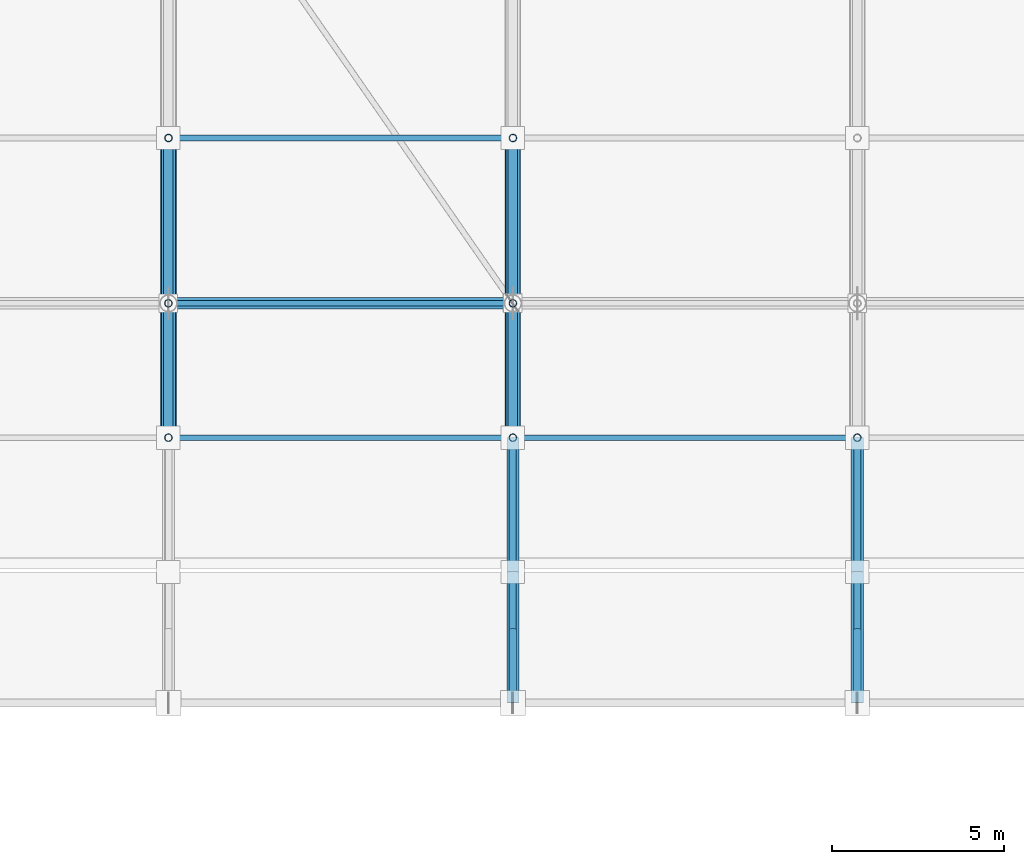
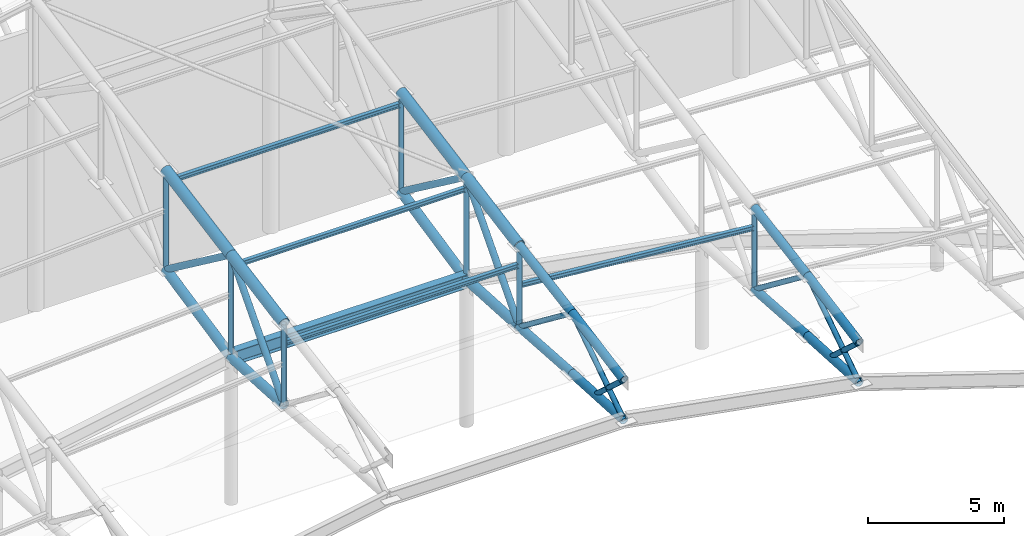
# One storey, part 57 of 146: 37 members, 1 beam.
"""IFC4 building model written with IfcOpenShell, lengths in metres."""

from ifc_helpers import new_model, si_unit, direction, frame, origin, origin_2d, place, context, subcontext, project, spatial, hollow_circle, i_section, extrude, material, material_profile, profile_set, type_object, element, save


model = new_model("IFC4")

# Units and contexts
model_context = context("Model", 3, precision=1e-05, world=origin(), true_north=direction((0.0, 1.0)))
body_context = subcontext(model_context, "Body", "Model", "MODEL_VIEW")
ifc_project = project(units=[si_unit("LENGTHUNIT", "METRE"), si_unit("AREAUNIT", "SQUARE_METRE"), si_unit("VOLUMEUNIT", "CUBIC_METRE"), si_unit("PLANEANGLEUNIT", "RADIAN"), si_unit("MASSUNIT", "GRAM", prefix="KILO")], contexts=[model_context])

# Site, building, storey
site_placement = place(None, origin())
site = spatial("IfcSite", under=ifc_project, at=site_placement, CompositionType="ELEMENT")
building_placement = place(site_placement, origin())
building = spatial("IfcBuilding", under=site, at=building_placement, Name="Candeia Ridge Stadium", CompositionType="ELEMENT")
storey_placement = place(building_placement, frame((0.0, 0.0, 31.800048828125)))
storey = spatial("IfcBuildingStorey", under=building, at=storey_placement, Name="RF", CompositionType="ELEMENT", Elevation=31.800048828125)

# Beam
ifc_material = material(Name="Steel ASTM A572 Grade 50", Category="steel")
ifc_material_profile_1 = material_profile(ifc_material, i_section(OverallWidth=0.324951171875, OverallDepth=0.615966796875, WebThickness=0.013916015625, FlangeThickness=0.021484375, FilletRadius=0.014892578125, at=origin_2d()), Name="W610x174", Category="steel")
ifc_profile_set_1 = profile_set([ifc_material_profile_1], Name="Steel ASTM A572 Grade 50")
beam_type = type_object("IfcBeamType", Name="Roof Compression Ring Beam W610x174", PredefinedType="BEAM", material=ifc_profile_set_1)
beam_placement = place(storey_placement, frame((110.9599609375, 132.60009765625, 6.500244140625), z_axis=(-1.0, 0.0, 0.0), x_axis=(0.0, -1.0, 0.0)))
element("IfcBeam", 1, at=beam_placement, inside=storey, type_object=beam_type, Name="Roof compression ring beam bay 04", PredefinedType="BEAM", context=body_context, shape_type="SweptSolid", body=[
    extrude(i_section(OverallWidth=0.324951171875, OverallDepth=0.615966796875, WebThickness=0.013916015625, FlangeThickness=0.021484375, FilletRadius=0.014892578125, at=origin_2d()), origin(), (0.0, 0.0, 1.0), 9.919921875),
])

# Members
ifc_material_profile_2 = material_profile(ifc_material, i_section(OverallWidth=0.1650390625, OverallDepth=0.200927734375, WebThickness=0.006103515625, FlangeThickness=0.01025390625, FilletRadius=0.010009765625, at=origin_2d()), Name="W200x35.9", Category="steel")
ifc_profile_set_2 = profile_set([ifc_material_profile_2], Name="Steel ASTM A572 Grade 50")
member_type_1 = type_object("IfcMemberType", Name="Roof Purlin W200x35.9", PredefinedType="PURLIN", material=ifc_profile_set_2)
member_1_placement = place(storey_placement, frame((120.9501953125, 128.699951171875, 7.708251953125), z_axis=(-0.995975929729, 0.0, 0.08962113256), x_axis=(0.0, -1.0, 0.0)))
element("IfcMember", 2, at=member_1_placement, inside=storey, type_object=member_type_1, Name="Saddle roof steel purlin bay 03-1", PredefinedType="PURLIN", context=body_context, shape_type="SweptSolid", body=[
    extrude(i_section(OverallWidth=0.1650390625, OverallDepth=0.200927734375, WebThickness=0.006103515625, FlangeThickness=0.01025390625, FilletRadius=0.010009765625, at=origin_2d()), origin(), (0.0, 0.0, 1.0), 9.9404296875),
])
for number, where, z_axis, x_axis, name in (
    (3, (110.949951171875, 128.699951171875, 9.518798828125), (-1.0, 0.0, 0.0), (0.0, -1.0, 0.0), "Saddle roof steel purlin bay 04-1"),
    (4, (110.949951171875, 132.60009765625, 10.580322265625), (-1.0, 0.0, 0.0), (0.0, -1.0, 0.0), "Saddle roof steel purlin bay 04-2"),
    (5, (110.949951171875, 137.39990234375, 11.46826171875), (-1.0, 0.0, 0.0), (0.0, -1.0, 0.0), "Saddle roof steel purlin bay 04-3"),
):
    element("IfcMember", number, at=place(storey_placement, frame(where, z_axis=z_axis, x_axis=x_axis)), inside=storey, type_object=member_type_1, Name=name, PredefinedType="PURLIN", context=body_context, shape_type="SweptSolid", body=[
        extrude(i_section(OverallWidth=0.1650390625, OverallDepth=0.200927734375, WebThickness=0.006103515625, FlangeThickness=0.01025390625, FilletRadius=0.010009765625, at=origin_2d()), origin(), (0.0, 0.0, 1.0), 9.89990234375),
    ])
ifc_material_profile_3 = material_profile(ifc_material, hollow_circle(Radius=0.136474609375, WallThickness=0.010009765625, at=origin_2d()), Name="CHS273x10", Category="steel")
ifc_profile_set_3 = profile_set([ifc_material_profile_3], Name="Steel ASTM A572 Grade 50")
member_type_2 = type_object("IfcMemberType", Name="Roof Truss Heavy Web Brace CHS273x10", PredefinedType="BRACE", material=ifc_profile_set_3)
member_2_placement = place(storey_placement, frame((111.0, 128.699951171875, 6.72021484375), z_axis=(0.0, 0.665001791652, 0.746841761754), x_axis=(-1.0, 0.0, 0.0)))
element("IfcMember", 6, at=member_2_placement, inside=storey, type_object=member_type_2, Name="Roof cantilever truss RT-04 diagonal web 3", PredefinedType="BRACE", context=body_context, shape_type="SweptSolid", body=[
    extrude(hollow_circle(Radius=0.136474609375, WallThickness=0.010009765625, at=origin_2d()), origin(), (0.0, 0.0, 1.0), 5.86474609375),
])
member_3_placement = place(storey_placement, frame((111.0, 132.60009765625, 11.100341796875), z_axis=(0.0, 0.801680135344, -0.597753260631), x_axis=(-1.0, 0.0, 0.0)))
element("IfcMember", 7, at=member_3_placement, inside=storey, type_object=member_type_2, Name="Roof cantilever truss RT-04 diagonal web 4", PredefinedType="BRACE", context=body_context, shape_type="SweptSolid", body=[
    extrude(hollow_circle(Radius=0.136474609375, WallThickness=0.010009765625, at=origin_2d()), origin(), (0.0, 0.0, 1.0), 5.987060546875),
])
member_4_placement = place(storey_placement, frame((101.0, 128.699951171875, 6.72021484375), z_axis=(0.0, 0.665001791652, 0.746841761754), x_axis=(-1.0, 0.0, 0.0)))
element("IfcMember", 8, at=member_4_placement, inside=storey, type_object=member_type_2, Name="Roof cantilever truss RT-05 diagonal web 3", PredefinedType="BRACE", context=body_context, shape_type="SweptSolid", body=[
    extrude(hollow_circle(Radius=0.136474609375, WallThickness=0.010009765625, at=origin_2d()), origin(), (0.0, 0.0, 1.0), 5.86474609375),
])
member_5_placement = place(storey_placement, frame((101.0, 132.60009765625, 11.100341796875), z_axis=(0.0, 0.801680135344, -0.597753260631), x_axis=(-1.0, 0.0, 0.0)))
element("IfcMember", 9, at=member_5_placement, inside=storey, type_object=member_type_2, Name="Roof cantilever truss RT-05 diagonal web 4", PredefinedType="BRACE", context=body_context, shape_type="SweptSolid", body=[
    extrude(hollow_circle(Radius=0.136474609375, WallThickness=0.010009765625, at=origin_2d()), origin(), (0.0, 0.0, 1.0), 5.987060546875),
])
ifc_material_profile_4 = material_profile(ifc_material, hollow_circle(Radius=0.109619140625, WallThickness=0.010009765625, at=origin_2d()), Name="CHS219x10", Category="steel")
ifc_profile_set_4 = profile_set([ifc_material_profile_4], Name="Steel ASTM A572 Grade 50")
member_type_3 = type_object("IfcMemberType", Name="Roof Truss Inner Web Brace CHS219x10", PredefinedType="BRACE", material=ifc_profile_set_4)
member_6_placement = place(storey_placement, frame((121.0, 121.0, 5.38916015625), z_axis=(0.0, 0.835124576935, 0.550060852087), x_axis=(-1.0, 0.0, 0.0)))
element("IfcMember", 10, at=member_6_placement, inside=storey, type_object=member_type_3, Name="Roof cantilever truss RT-03 diagonal web 1", PredefinedType="BRACE", context=body_context, shape_type="SweptSolid", body=[
    extrude(hollow_circle(Radius=0.109619140625, WallThickness=0.010009765625, at=origin_2d()), origin(), (0.0, 0.0, 1.0), 4.55029296875),
])
member_7_placement = place(storey_placement, frame((121.0, 124.800048828125, 7.89208984375), z_axis=(0.0, 0.793887844601, -0.608064215519), x_axis=(-1.0, 0.0, 0.0)))
element("IfcMember", 11, at=member_7_placement, inside=storey, type_object=member_type_3, Name="Roof cantilever truss RT-03 diagonal web 2", PredefinedType="BRACE", context=body_context, shape_type="SweptSolid", body=[
    extrude(hollow_circle(Radius=0.109619140625, WallThickness=0.010009765625, at=origin_2d()), origin(), (0.0, 0.0, 1.0), 4.912353515625),
])
member_8_placement = place(storey_placement, frame((121.0, 123.090087890625, 5.271240234375), z_axis=(0.0, -0.736793216186, 0.676118152827), x_axis=(1.0, 0.0, 0.0)))
element("IfcMember", 12, at=member_8_placement, inside=storey, type_object=member_type_3, Name="Roof cantilever truss RT-03 vertical post 0", PredefinedType="BRACE", context=body_context, shape_type="SweptSolid", body=[
    extrude(hollow_circle(Radius=0.109619140625, WallThickness=0.010009765625, at=origin_2d()), origin(), (0.0, 0.0, 1.0), 2.836669921875),
])
member_9_placement = place(storey_placement, frame((121.0, 128.699951171875, 4.905029296875), z_axis=(0.0, 0.0, 1.0), x_axis=(1.0, 0.0, 0.0)))
element("IfcMember", 13, at=member_9_placement, inside=storey, type_object=member_type_3, Name="Roof cantilever truss RT-03 vertical post 2", PredefinedType="BRACE", context=body_context, shape_type="SweptSolid", body=[
    extrude(hollow_circle(Radius=0.109619140625, WallThickness=0.010009765625, at=origin_2d()), origin(), (0.0, 0.0, 1.0), 3.65869140625),
])
member_10_placement = place(storey_placement, frame((111.0, 121.0, 7.204345703125), z_axis=(0.0, 0.835124576935, 0.550060852087), x_axis=(-1.0, 0.0, 0.0)))
element("IfcMember", 14, at=member_10_placement, inside=storey, type_object=member_type_3, Name="Roof cantilever truss RT-04 diagonal web 1", PredefinedType="BRACE", context=body_context, shape_type="SweptSolid", body=[
    extrude(hollow_circle(Radius=0.109619140625, WallThickness=0.010009765625, at=origin_2d()), origin(), (0.0, 0.0, 1.0), 4.55029296875),
])
member_11_placement = place(storey_placement, frame((111.0, 124.800048828125, 9.707275390625), z_axis=(0.0, 0.793887844601, -0.608064215519), x_axis=(-1.0, 0.0, 0.0)))
element("IfcMember", 15, at=member_11_placement, inside=storey, type_object=member_type_3, Name="Roof cantilever truss RT-04 diagonal web 2", PredefinedType="BRACE", context=body_context, shape_type="SweptSolid", body=[
    extrude(hollow_circle(Radius=0.109619140625, WallThickness=0.010009765625, at=origin_2d()), origin(), (0.0, 0.0, 1.0), 4.912353515625),
])
member_12_placement = place(storey_placement, frame((111.0, 123.090087890625, 7.08642578125), z_axis=(0.0, -0.736836090738, 0.676071427725), x_axis=(1.0, 0.0, 0.0)))
element("IfcMember", 16, at=member_12_placement, inside=storey, type_object=member_type_3, Name="Roof cantilever truss RT-04 vertical post 0", PredefinedType="BRACE", context=body_context, shape_type="SweptSolid", body=[
    extrude(hollow_circle(Radius=0.109619140625, WallThickness=0.010009765625, at=origin_2d()), origin(), (0.0, 0.0, 1.0), 2.836669921875),
])
member_13_placement = place(storey_placement, frame((111.0, 128.699951171875, 6.72021484375), z_axis=(0.0, 0.0, 1.0), x_axis=(1.0, 0.0, 0.0)))
element("IfcMember", 17, at=member_13_placement, inside=storey, type_object=member_type_3, Name="Roof cantilever truss RT-04 vertical post 2", PredefinedType="BRACE", context=body_context, shape_type="SweptSolid", body=[
    extrude(hollow_circle(Radius=0.109619140625, WallThickness=0.010009765625, at=origin_2d()), origin(), (0.0, 0.0, 1.0), 3.658447265625),
])
member_14_placement = place(storey_placement, frame((111.0, 132.60009765625, 6.500244140625), z_axis=(0.0, 0.0, 1.0), x_axis=(1.0, 0.0, 0.0)))
element("IfcMember", 18, at=member_14_placement, inside=storey, type_object=member_type_3, Name="Roof cantilever truss RT-04 vertical post 3", PredefinedType="BRACE", context=body_context, shape_type="SweptSolid", body=[
    extrude(hollow_circle(Radius=0.109619140625, WallThickness=0.010009765625, at=origin_2d()), origin(), (0.0, 0.0, 1.0), 4.60009765625),
])
member_15_placement = place(storey_placement, frame((111.0, 137.39990234375, 7.521484375), z_axis=(0.0, 0.0, 1.0), x_axis=(1.0, 0.0, 0.0)))
element("IfcMember", 19, at=member_15_placement, inside=storey, type_object=member_type_3, Name="Roof cantilever truss RT-04 vertical post 4", PredefinedType="BRACE", context=body_context, shape_type="SweptSolid", body=[
    extrude(hollow_circle(Radius=0.109619140625, WallThickness=0.010009765625, at=origin_2d()), origin(), (0.0, 0.0, 1.0), 4.466796875),
])
member_16_placement = place(storey_placement, frame((101.0, 128.699951171875, 6.72021484375), z_axis=(0.0, 0.0, 1.0), x_axis=(1.0, 0.0, 0.0)))
element("IfcMember", 20, at=member_16_placement, inside=storey, type_object=member_type_3, Name="Roof cantilever truss RT-05 vertical post 2", PredefinedType="BRACE", context=body_context, shape_type="SweptSolid", body=[
    extrude(hollow_circle(Radius=0.109619140625, WallThickness=0.010009765625, at=origin_2d()), origin(), (0.0, 0.0, 1.0), 3.658447265625),
])
member_17_placement = place(storey_placement, frame((101.0, 132.60009765625, 6.500244140625), z_axis=(0.0, 0.0, 1.0), x_axis=(1.0, 0.0, 0.0)))
element("IfcMember", 21, at=member_17_placement, inside=storey, type_object=member_type_3, Name="Roof cantilever truss RT-05 vertical post 3", PredefinedType="BRACE", context=body_context, shape_type="SweptSolid", body=[
    extrude(hollow_circle(Radius=0.109619140625, WallThickness=0.010009765625, at=origin_2d()), origin(), (0.0, 0.0, 1.0), 4.60009765625),
])
member_18_placement = place(storey_placement, frame((101.0, 137.39990234375, 7.521484375), z_axis=(0.0, 0.0, 1.0), x_axis=(1.0, 0.0, 0.0)))
element("IfcMember", 22, at=member_18_placement, inside=storey, type_object=member_type_3, Name="Roof cantilever truss RT-05 vertical post 4", PredefinedType="BRACE", context=body_context, shape_type="SweptSolid", body=[
    extrude(hollow_circle(Radius=0.109619140625, WallThickness=0.010009765625, at=origin_2d()), origin(), (0.0, 0.0, 1.0), 4.466796875),
])
ifc_material_profile_5 = material_profile(ifc_material, hollow_circle(Radius=0.228515625, WallThickness=0.02001953125, at=origin_2d()), Name="CHS457x20", Category="steel")
ifc_profile_set_5 = profile_set([ifc_material_profile_5], Name="Steel ASTM A572 Grade 50")
member_type_4 = type_object("IfcMemberType", Name="Roof Truss Main Chord CHS457x20", PredefinedType="CHORD", material=ifc_profile_set_5)
member_19_placement = place(storey_placement, frame((111.0, 128.699951171875, 10.378662109375), z_axis=(0.0, 0.983307710254, 0.181950396965), x_axis=(-1.0, 0.0, 0.0)))
element("IfcMember", 23, at=member_19_placement, inside=storey, type_object=member_type_4, Name="Roof cantilever truss RT-04 top chord 3", PredefinedType="CHORD", context=body_context, shape_type="SweptSolid", body=[
    extrude(hollow_circle(Radius=0.228515625, WallThickness=0.02001953125, at=origin_2d()), origin(), (0.0, 0.0, 1.0), 3.96630859375),
])
member_20_placement = place(storey_placement, frame((111.0, 132.60009765625, 11.100341796875), z_axis=(0.0, 0.983315487156, 0.181908363519), x_axis=(-1.0, 0.0, 0.0)))
element("IfcMember", 24, at=member_20_placement, inside=storey, type_object=member_type_4, Name="Roof cantilever truss RT-04 top chord 4", PredefinedType="CHORD", context=body_context, shape_type="SweptSolid", body=[
    extrude(hollow_circle(Radius=0.228515625, WallThickness=0.02001953125, at=origin_2d()), origin(), (0.0, 0.0, 1.0), 4.88134765625),
])
member_21_placement = place(storey_placement, frame((101.0, 128.699951171875, 10.378662109375), z_axis=(0.0, 0.983307710254, 0.181950396965), x_axis=(-1.0, 0.0, 0.0)))
element("IfcMember", 25, at=member_21_placement, inside=storey, type_object=member_type_4, Name="Roof cantilever truss RT-05 top chord 3", PredefinedType="CHORD", context=body_context, shape_type="SweptSolid", body=[
    extrude(hollow_circle(Radius=0.228515625, WallThickness=0.02001953125, at=origin_2d()), origin(), (0.0, 0.0, 1.0), 3.96630859375),
])
member_22_placement = place(storey_placement, frame((101.0, 132.60009765625, 11.100341796875), z_axis=(0.0, 0.983315487156, 0.181908363519), x_axis=(-1.0, 0.0, 0.0)))
element("IfcMember", 26, at=member_22_placement, inside=storey, type_object=member_type_4, Name="Roof cantilever truss RT-05 top chord 4", PredefinedType="CHORD", context=body_context, shape_type="SweptSolid", body=[
    extrude(hollow_circle(Radius=0.228515625, WallThickness=0.02001953125, at=origin_2d()), origin(), (0.0, 0.0, 1.0), 4.88134765625),
])
ifc_material_profile_6 = material_profile(ifc_material, hollow_circle(Radius=0.202880859375, WallThickness=0.01611328125, at=origin_2d()), Name="CHS406x16", Category="steel")
ifc_profile_set_6 = profile_set([ifc_material_profile_6], Name="Steel ASTM A572 Grade 50")
member_type_5 = type_object("IfcMemberType", Name="Roof Truss Outer Chord CHS406x16", PredefinedType="CHORD", material=ifc_profile_set_6)
member_23_placement = place(storey_placement, frame((111.0, 128.699951171875, 6.72021484375), z_axis=(0.0, 0.998413269272, -0.056311133372), x_axis=(-1.0, 0.0, 0.0)))
element("IfcMember", 27, at=member_23_placement, inside=storey, type_object=member_type_5, Name="Roof cantilever truss RT-04 bottom chord 3", PredefinedType="CHORD", context=body_context, shape_type="SweptSolid", body=[
    extrude(hollow_circle(Radius=0.202880859375, WallThickness=0.01611328125, at=origin_2d()), origin(), (0.0, 0.0, 1.0), 3.90625),
])
member_24_placement = place(storey_placement, frame((111.0, 132.60009765625, 6.500244140625), z_axis=(0.0, 0.978105713519, 0.208108657154), x_axis=(-1.0, 0.0, 0.0)))
element("IfcMember", 28, at=member_24_placement, inside=storey, type_object=member_type_5, Name="Roof cantilever truss RT-04 bottom chord 4", PredefinedType="CHORD", context=body_context, shape_type="SweptSolid", body=[
    extrude(hollow_circle(Radius=0.202880859375, WallThickness=0.01611328125, at=origin_2d()), origin(), (0.0, 0.0, 1.0), 4.9072265625),
])
member_25_placement = place(storey_placement, frame((101.0, 128.699951171875, 6.72021484375), z_axis=(0.0, 0.998413269272, -0.056311133372), x_axis=(-1.0, 0.0, 0.0)))
element("IfcMember", 29, at=member_25_placement, inside=storey, type_object=member_type_5, Name="Roof cantilever truss RT-05 bottom chord 3", PredefinedType="CHORD", context=body_context, shape_type="SweptSolid", body=[
    extrude(hollow_circle(Radius=0.202880859375, WallThickness=0.01611328125, at=origin_2d()), origin(), (0.0, 0.0, 1.0), 3.90625),
])
member_26_placement = place(storey_placement, frame((101.0, 132.60009765625, 6.500244140625), z_axis=(0.0, 0.978105713519, 0.208108657154), x_axis=(-1.0, 0.0, 0.0)))
element("IfcMember", 30, at=member_26_placement, inside=storey, type_object=member_type_5, Name="Roof cantilever truss RT-05 bottom chord 4", PredefinedType="CHORD", context=body_context, shape_type="SweptSolid", body=[
    extrude(hollow_circle(Radius=0.202880859375, WallThickness=0.01611328125, at=origin_2d()), origin(), (0.0, 0.0, 1.0), 4.9072265625),
])
ifc_material_profile_7 = material_profile(ifc_material, hollow_circle(Radius=0.177734375, WallThickness=0.01416015625, at=origin_2d()), Name="CHS355x14", Category="steel")
ifc_profile_set_7 = profile_set([ifc_material_profile_7], Name="Steel ASTM A572 Grade 50")
member_type_6 = type_object("IfcMemberType", Name="Roof Truss Tip Chord CHS355x14", PredefinedType="CHORD", material=ifc_profile_set_7)
member_27_placement = place(storey_placement, frame((121.0, 121.0, 7.189208984375), z_axis=(0.0, 0.9833205248, 0.181881130157), x_axis=(-1.0, 0.0, 0.0)))
element("IfcMember", 31, at=member_27_placement, inside=storey, type_object=member_type_6, Name="Roof cantilever truss RT-03 top chord 1", PredefinedType="CHORD", context=body_context, shape_type="SweptSolid", body=[
    extrude(hollow_circle(Radius=0.177734375, WallThickness=0.01416015625, at=origin_2d()), origin(), (0.0, 0.0, 1.0), 3.864501953125),
])
member_28_placement = place(storey_placement, frame((121.0, 121.0, 5.38916015625), z_axis=(0.0, 0.998416425934, -0.05625513688), x_axis=(-1.0, 0.0, 0.0)))
element("IfcMember", 32, at=member_28_placement, inside=storey, type_object=member_type_6, Name="Roof cantilever truss RT-03 bottom chord 1", PredefinedType="CHORD", context=body_context, shape_type="SweptSolid", body=[
    extrude(hollow_circle(Radius=0.177734375, WallThickness=0.01416015625, at=origin_2d()), origin(), (0.0, 0.0, 1.0), 3.80615234375),
])
member_29_placement = place(storey_placement, frame((121.0, 124.800048828125, 7.89208984375), z_axis=(0.0, 0.985492511851, 0.169718911988), x_axis=(-1.0, 0.0, 0.0)))
element("IfcMember", 33, at=member_29_placement, inside=storey, type_object=member_type_6, Name="Roof cantilever truss RT-03 top chord 2", PredefinedType="CHORD", context=body_context, shape_type="SweptSolid", body=[
    extrude(hollow_circle(Radius=0.177734375, WallThickness=0.01416015625, at=origin_2d()), origin(), (0.0, 0.0, 1.0), 3.957275390625),
])
member_30_placement = place(storey_placement, frame((121.0, 124.800048828125, 5.175048828125), z_axis=(0.0, 0.997611667068, -0.069072148728), x_axis=(-1.0, 0.0, 0.0)))
element("IfcMember", 34, at=member_30_placement, inside=storey, type_object=member_type_6, Name="Roof cantilever truss RT-03 bottom chord 2", PredefinedType="CHORD", context=body_context, shape_type="SweptSolid", body=[
    extrude(hollow_circle(Radius=0.177734375, WallThickness=0.01416015625, at=origin_2d()), origin(), (0.0, 0.0, 1.0), 3.9091796875),
])
member_31_placement = place(storey_placement, frame((111.0, 121.0, 9.004150390625), z_axis=(0.0, 0.983309224326, 0.181942214331), x_axis=(-1.0, 0.0, 0.0)))
element("IfcMember", 35, at=member_31_placement, inside=storey, type_object=member_type_6, Name="Roof cantilever truss RT-04 top chord 1", PredefinedType="CHORD", context=body_context, shape_type="SweptSolid", body=[
    extrude(hollow_circle(Radius=0.177734375, WallThickness=0.01416015625, at=origin_2d()), origin(), (0.0, 0.0, 1.0), 3.864501953125),
])
member_32_placement = place(storey_placement, frame((111.0, 121.0, 7.204345703125), z_axis=(0.0, 0.99841282113, -0.056319078506), x_axis=(-1.0, 0.0, 0.0)))
element("IfcMember", 36, at=member_32_placement, inside=storey, type_object=member_type_6, Name="Roof cantilever truss RT-04 bottom chord 1", PredefinedType="CHORD", context=body_context, shape_type="SweptSolid", body=[
    extrude(hollow_circle(Radius=0.177734375, WallThickness=0.01416015625, at=origin_2d()), origin(), (0.0, 0.0, 1.0), 3.80615234375),
])
member_33_placement = place(storey_placement, frame((111.0, 124.800048828125, 9.707275390625), z_axis=(0.0, 0.985502828795, 0.169658994565), x_axis=(-1.0, 0.0, 0.0)))
element("IfcMember", 37, at=member_33_placement, inside=storey, type_object=member_type_6, Name="Roof cantilever truss RT-04 top chord 2", PredefinedType="CHORD", context=body_context, shape_type="SweptSolid", body=[
    extrude(hollow_circle(Radius=0.177734375, WallThickness=0.01416015625, at=origin_2d()), origin(), (0.0, 0.0, 1.0), 3.957275390625),
])
member_34_placement = place(storey_placement, frame((111.0, 124.800048828125, 6.989990234375), z_axis=(0.0, 0.997615968556, -0.069009994069), x_axis=(-1.0, 0.0, 0.0)))
element("IfcMember", 38, at=member_34_placement, inside=storey, type_object=member_type_6, Name="Roof cantilever truss RT-04 bottom chord 2", PredefinedType="CHORD", context=body_context, shape_type="SweptSolid", body=[
    extrude(hollow_circle(Radius=0.177734375, WallThickness=0.01416015625, at=origin_2d()), origin(), (0.0, 0.0, 1.0), 3.9091796875),
])

save(model, "model.ifc")
